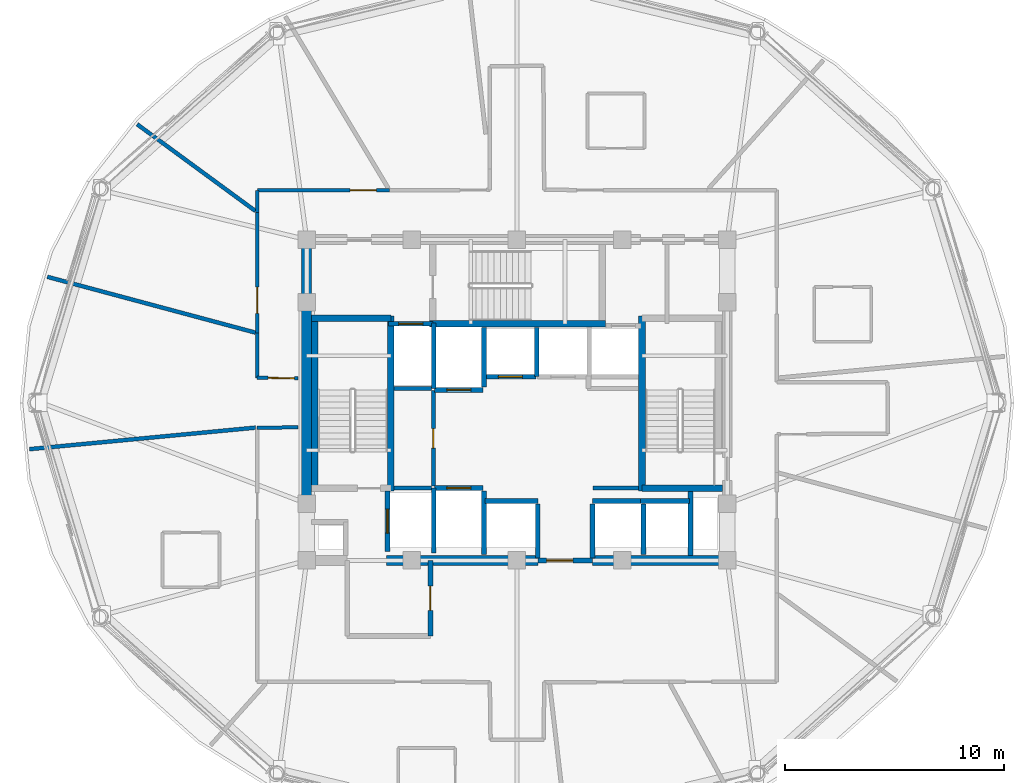
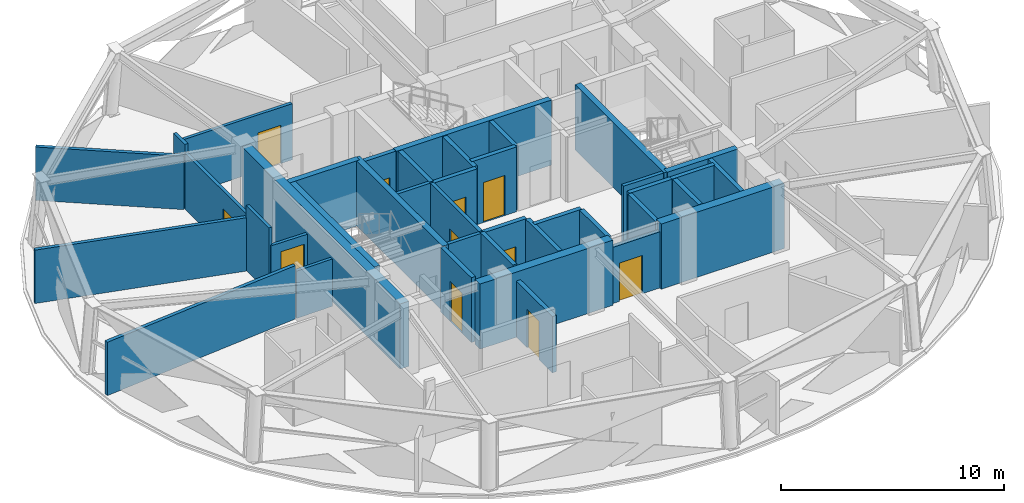
# One storey, part 5 of 11: 41 walls, 11 doors, 11 openings.
"""IFC4 building model written with IfcOpenShell, lengths in metres."""

from ifc_helpers import new_model, si_unit, direction, frame, frame_2d, origin, place, context, subcontext, project, spatial, rectangle, extrude, material, layer, layer_set, type_object, element, fill, save


model = new_model("IFC4")

# Units and contexts
model_context = context("Model", 3, precision=1e-05, world=origin(), true_north=direction((0.0, 1.0)))
body_context = subcontext(model_context, "Body", "Model", "MODEL_VIEW")
ifc_project = project(units=[si_unit("LENGTHUNIT", "METRE"), si_unit("AREAUNIT", "SQUARE_METRE"), si_unit("VOLUMEUNIT", "CUBIC_METRE"), si_unit("PLANEANGLEUNIT", "RADIAN"), si_unit("MASSUNIT", "GRAM", prefix="KILO")], contexts=[model_context])

# Site, building, storey
site_placement = place(None, origin())
site = spatial("IfcSite", under=ifc_project, at=site_placement, CompositionType="ELEMENT")
building_placement = place(site_placement, origin())
building = spatial("IfcBuilding", under=site, at=building_placement, Name="Vantalir Tower", CompositionType="ELEMENT")
storey_placement = place(building_placement, frame((0.0, 0.0, 231.14990234375)))
storey = spatial("IfcBuildingStorey", under=building, at=storey_placement, Name="L58", CompositionType="ELEMENT", Elevation=231.14990234375)

# Walls
ifc_material_1 = material(Name="Concrete C50/60", Category="concrete")
ifc_layer_1 = layer(ifc_material_1, 0.449951171875)
ifc_layer_set_1 = layer_set([ifc_layer_1], Name="Concrete C50/60")
wall_type_1 = type_object("IfcWallType", Name="WL-CORE-450", PredefinedType="SHEAR", material=ifc_layer_set_1)
wall_1_placement = place(storey_placement, frame((25.550048828125, 17.800048828125, 0.0), z_axis=(0.0, 0.0, 1.0), x_axis=(1.0, 0.0, 0.0)))
element("IfcWall", 1, at=wall_1_placement, inside=storey, type_object=wall_type_1, Name="L58 Core Shear Wall South-Mid", PredefinedType="SHEAR", context=body_context, shape_type="SweptSolid", body=[
    extrude(rectangle(XDim=6.89990234375, YDim=0.449951171875, at=frame_2d((3.449951171875, 0.0))), origin(), (0.0, 0.0, 1.0), 3.570068359375),
])
wall_2_placement = place(storey_placement, frame((34.949951171875, 17.800048828125, 0.0), z_axis=(0.0, 0.0, 1.0), x_axis=(1.0, 0.0, 0.0)))
element("IfcWall", 2, at=wall_2_placement, inside=storey, type_object=wall_type_1, Name="L58 Core Shear Wall South-East", PredefinedType="SHEAR", context=body_context, shape_type="SweptSolid", body=[
    extrude(rectangle(XDim=6.375, YDim=0.449951171875, at=frame_2d((3.1875, 0.0))), origin(), (0.0, 0.0, 1.0), 3.570068359375),
])
wall_3_placement = place(storey_placement, frame((21.89990234375, 18.02490234375, 0.0), z_axis=(0.0, 0.0, 1.0), x_axis=(0.0, 1.0, 0.0)))
element("IfcWall", 3, at=wall_3_placement, inside=storey, type_object=wall_type_1, Name="L58 Core Shear Wall West", PredefinedType="SHEAR", context=body_context, shape_type="SweptSolid", body=[
    extrude(rectangle(XDim=14.2001953125, YDim=0.449951171875, at=frame_2d((7.10009765625, 0.0))), origin(), (0.0, 0.0, 1.0), 3.570068359375),
])

# Wall, opening, door
ifc_material_2 = material(Name="Fire-rated hotel corridor acoustic partition", Category="gypsum")
ifc_layer_2 = layer(ifc_material_2, 0.159912109375)
ifc_layer_set_2 = layer_set([ifc_layer_2], Name="Fire-rated hotel corridor acoustic partition")
wall_type_2 = type_object("IfcWallType", Name="WL-CORR-160", PredefinedType="PARTITIONING", material=ifc_layer_set_2)
wall_4_placement = place(storey_placement, frame((21.4951171875, 26.116943359375, 0.0), z_axis=(0.0, 0.0, 1.0), x_axis=(-0.999908537082, 0.013524698532, 0.0)))
wall_4 = element("IfcWall", 4, at=wall_4_placement, inside=storey, type_object=wall_type_2, Name="L58 Corridor Partition 01", PredefinedType="PARTITIONING", context=body_context, shape_type="SweptSolid", body=[
    extrude(rectangle(XDim=1.859375, YDim=0.159912109375, at=frame_2d((0.9296875, 0.0))), origin(), (0.0, 0.0, 1.0), 2.59521484375),
])
opening_1_placement = place(wall_4_placement, frame((0.159912109375, 0.0, 0.0)))
opening_1 = element("IfcOpeningElement", 5, at=opening_1_placement, cuts=wall_4, Name="Opening D-STE", PredefinedType="OPENING", context=body_context, shape_type="SweptSolid", body=[
    extrude(rectangle(XDim=1.199951171875, YDim=2.10009765625, at=frame_2d((0.60009765625, 1.050048828125))), frame((0.0, 0.08984375, 0.0), z_axis=(0.0, -1.0, 0.0), x_axis=(1.0, 0.0, 0.0)), (0.0, 0.0, 1.0), 0.179931640625),
])
ifc_material_3 = material(Name="Solid-core teak veneer suite entrance door", Category="wood")
door_type_1 = type_object("IfcDoorType", Name="DR-SUITE-ENTRY-1200", OperationType="NOTDEFINED", PredefinedType="DOOR", material=ifc_material_3)
door_1_placement = place(opening_1_placement, origin())
door_1 = element("IfcDoor", 6, at=door_1_placement, inside=storey, type_object=door_type_1, Name="L58 Executive Sky Boardroom 06 Door", OperationType="SINGLE_SWING_RIGHT", OverallHeight=2.10009765625, OverallWidth=1.199951171875, PredefinedType="DOOR", context=body_context, shape_type="SweptSolid", body=[
    extrude(rectangle(XDim=1.199951171875, YDim=2.10009765625, at=frame_2d((0.60009765625, 1.050048828125))), frame((0.0, 0.02490234375, 0.0), z_axis=(0.0, -1.0, 0.0), x_axis=(1.0, 0.0, 0.0)), (0.0, 0.0, 1.0), 0.050048828125),
])
fill(opening_1, door_1)

# Wall
wall_5_placement = place(storey_placement, frame((19.635986328125, 26.14208984375, 0.0), z_axis=(0.0, 0.0, 1.0), x_axis=(0.000957510034, 0.999999541587, 0.0)))
element("IfcWall", 7, at=wall_5_placement, inside=storey, type_object=wall_type_2, Name="L58 Corridor Partition 02", PredefinedType="PARTITIONING", context=body_context, shape_type="SweptSolid", body=[
    extrude(rectangle(XDim=2.039794921875, YDim=0.159912109375, at=frame_2d((1.02001953125, 0.0))), origin(), (0.0, 0.0, 1.0), 3.550048828125),
])

# Wall, opening, door
wall_6_placement = place(storey_placement, frame((19.637939453125, 28.181884765625, 0.0), z_axis=(0.0, 0.0, 1.0), x_axis=(0.000930108553, 0.999999567449, 0.0)))
wall_6 = element("IfcWall", 8, at=wall_6_placement, inside=storey, type_object=wall_type_2, Name="L58 Corridor Partition 03", PredefinedType="PARTITIONING", context=body_context, shape_type="SweptSolid", body=[
    extrude(rectangle(XDim=5.51220703125, YDim=0.159912109375, at=frame_2d((2.756103515625, 0.0))), origin(), (0.0, 0.0, 1.0), 3.0810546875),
])
opening_2_placement = place(wall_6_placement, frame((0.89892578125, 0.0, 0.0)))
opening_2 = element("IfcOpeningElement", 9, at=opening_2_placement, cuts=wall_6, Name="Opening D-STE", PredefinedType="OPENING", context=body_context, shape_type="SweptSolid", body=[
    extrude(rectangle(XDim=1.199951171875, YDim=2.10009765625, at=frame_2d((0.60009765625, 1.050048828125))), frame((0.0, 0.08984375, 0.0), z_axis=(0.0, -1.0, 0.0), x_axis=(1.0, 0.0, 0.0)), (0.0, 0.0, 1.0), 0.179931640625),
])
door_2_placement = place(opening_2_placement, origin())
door_2 = element("IfcDoor", 10, at=door_2_placement, inside=storey, type_object=door_type_1, Name="L58 Club Reading Lounge 05 Door", OperationType="SINGLE_SWING_LEFT", OverallHeight=2.10009765625, OverallWidth=1.199951171875, PredefinedType="DOOR", context=body_context, shape_type="SweptSolid", body=[
    extrude(rectangle(XDim=1.199951171875, YDim=2.10009765625, at=frame_2d((0.60009765625, 1.050048828125))), frame((0.0, 0.02490234375, 0.0), z_axis=(0.0, -1.0, 0.0), x_axis=(1.0, 0.0, 0.0)), (0.0, 0.0, 1.0), 0.050048828125),
])
fill(opening_2, door_2)

# Wall
wall_7_placement = place(storey_placement, frame((19.64306640625, 33.694091796875, 0.0), z_axis=(0.0, 0.0, 1.0), x_axis=(0.000970873329, 0.999999528702, 0.0)))
element("IfcWall", 11, at=wall_7_placement, inside=storey, type_object=wall_type_2, Name="L58 Corridor Partition 04", PredefinedType="PARTITIONING", context=body_context, shape_type="SweptSolid", body=[
    extrude(rectangle(XDim=1.005859375, YDim=0.159912109375, at=frame_2d((0.5029296875, 0.0))), origin(), (0.0, 0.0, 1.0), 3.550048828125),
])

# Wall, opening, door
wall_8_placement = place(storey_placement, frame((19.64404296875, 34.699951171875, 0.0), z_axis=(0.0, 0.0, 1.0), x_axis=(0.999998879398, 0.001497064881, 0.0)))
wall_8 = element("IfcWall", 12, at=wall_8_placement, inside=storey, type_object=wall_type_2, Name="L58 Corridor Partition 05", PredefinedType="PARTITIONING", context=body_context, shape_type="SweptSolid", body=[
    extrude(rectangle(XDim=6.033935546875, YDim=0.159912109375, at=frame_2d((3.01708984375, 0.0))), origin(), (0.0, 0.0, 1.0), 3.0810546875),
])
opening_3_placement = place(wall_8_placement, frame((4.237060546875, 0.0, 0.0)))
opening_3 = element("IfcOpeningElement", 13, at=opening_3_placement, cuts=wall_8, Name="Opening D-STE", PredefinedType="OPENING", context=body_context, shape_type="SweptSolid", body=[
    extrude(rectangle(XDim=1.199951171875, YDim=2.10009765625, at=frame_2d((0.60009765625, 1.050048828125))), frame((0.0, 0.08984375, 0.0), z_axis=(0.0, -1.0, 0.0), x_axis=(1.0, 0.0, 0.0)), (0.0, 0.0, 1.0), 0.179931640625),
])
door_3_placement = place(opening_3_placement, origin())
door_3 = element("IfcDoor", 14, at=door_3_placement, inside=storey, type_object=door_type_1, Name="L58 Executive Sky Boardroom 04 Door", OperationType="SINGLE_SWING_RIGHT", OverallHeight=2.10009765625, OverallWidth=1.199951171875, PredefinedType="DOOR", context=body_context, shape_type="SweptSolid", body=[
    extrude(rectangle(XDim=1.199951171875, YDim=2.10009765625, at=frame_2d((0.60009765625, 1.050048828125))), frame((0.0, 0.02490234375, 0.0), z_axis=(0.0, -1.0, 0.0), x_axis=(1.0, 0.0, 0.0)), (0.0, 0.0, 1.0), 0.050048828125),
])
fill(opening_3, door_3)

# Walls
wall_9_placement = place(storey_placement, frame((19.635009765625, 23.85400390625, 0.0), z_axis=(0.0, 0.0, 1.0), x_axis=(0.999886107392, 0.015092125259, 0.0)))
element("IfcWall", 15, at=wall_9_placement, inside=storey, type_object=wall_type_2, Name="L58 Corridor Partition 28", PredefinedType="PARTITIONING", context=body_context, shape_type="SweptSolid", body=[
    extrude(rectangle(XDim=1.8603515625, YDim=0.159912109375, at=frame_2d((0.93017578125, 0.0))), origin(), (0.0, 0.0, 1.0), 2.59521484375),
])
ifc_material_4 = material(Name="Concrete blockwork with fireboard lining", Category="masonry")
ifc_layer_3 = layer(ifc_material_4, 0.219970703125)
ifc_layer_set_3 = layer_set([ifc_layer_3], Name="Concrete blockwork with fireboard lining")
wall_type_3 = type_object("IfcWallType", Name="WL-FFL-220", PredefinedType="PARTITIONING", material=ifc_layer_set_3)
wall_10_placement = place(storey_placement, frame((30.0, 18.080078125, 0.0), z_axis=(0.0, 0.0, 1.0), x_axis=(0.0, 1.0, 0.0)))
element("IfcWall", 16, at=wall_10_placement, inside=storey, type_object=wall_type_3, Name="L58 Service Lift SV1 East Shaft Wall", PredefinedType="PARTITIONING", context=body_context, shape_type="SweptSolid", body=[
    extrude(rectangle(XDim=2.89990234375, YDim=0.219970703125, at=frame_2d((1.449951171875, 0.0))), origin(), (0.0, 0.0, 1.0), 3.545166015625),
])
for number, where, z_axis, x_axis, name in (
    (17, (32.449951171875, 17.919921875, 0.0), (0.0, 0.0, 1.0), (0.0, 1.0, 0.0), "L58 Shuttle Lift PL-X1 East Shaft Cheek"),
    (18, (34.949951171875, 17.919921875, 0.0), (0.0, 0.0, 1.0), (0.0, 1.0, 0.0), "L58 Shuttle Lift PL-X3 West Shaft Cheek"),
):
    element("IfcWall", number, at=place(storey_placement, frame(where, z_axis=z_axis, x_axis=x_axis)), inside=storey, type_object=wall_type_3, Name=name, PredefinedType="PARTITIONING", context=body_context, shape_type="SweptSolid", body=[
        extrude(rectangle(XDim=2.469970703125, YDim=0.219970703125, at=frame_2d((1.23486328125, 0.0))), origin(), (0.0, 0.0, 1.0), 3.545166015625),
    ])
wall_11_placement = place(storey_placement, frame((37.27490234375, 18.080078125, 0.0), z_axis=(0.0, 0.0, 1.0), x_axis=(0.0, 1.0, 0.0)))
element("IfcWall", 19, at=wall_11_placement, inside=storey, type_object=wall_type_3, Name="L58 Shuttle Lift PL-X2/X3 Shaft Divider", PredefinedType="PARTITIONING", context=body_context, shape_type="SweptSolid", body=[
    extrude(rectangle(XDim=2.309814453125, YDim=0.219970703125, at=frame_2d((1.15478515625, 0.0))), origin(), (0.0, 0.0, 1.0), 3.545166015625),
])
wall_12_placement = place(storey_placement, frame((30.0, 25.7099609375, 0.0), z_axis=(0.0, 0.0, 1.0), x_axis=(0.0, 1.0, 0.0)))
element("IfcWall", 20, at=wall_12_placement, inside=storey, type_object=wall_type_3, Name="L58 Service Lift SV2 East Shaft Wall", PredefinedType="PARTITIONING", context=body_context, shape_type="SweptSolid", body=[
    extrude(rectangle(XDim=2.72998046875, YDim=0.219970703125, at=frame_2d((1.364990234375, 0.0))), origin(), (0.0, 0.0, 1.0), 3.545166015625),
])
wall_13_placement = place(storey_placement, frame((32.39990234375, 26.199951171875, 0.0), z_axis=(0.0, 0.0, 1.0), x_axis=(0.0, 1.0, 0.0)))
element("IfcWall", 21, at=wall_13_placement, inside=storey, type_object=wall_type_3, Name="L58 High-Rise Lift PL-H1/H2 Shaft Divider", PredefinedType="PARTITIONING", context=body_context, shape_type="SweptSolid", body=[
    extrude(rectangle(XDim=2.239990234375, YDim=0.219970703125, at=frame_2d((1.1201171875, 0.0))), origin(), (0.0, 0.0, 1.0), 3.545166015625),
])

# Wall, opening, door
wall_14_placement = place(storey_placement, frame((32.449951171875, 17.800048828125, 0.0), z_axis=(0.0, 0.0, 1.0), x_axis=(1.0, 0.0, 0.0)))
wall_14 = element("IfcWall", 22, at=wall_14_placement, inside=storey, type_object=wall_type_3, Name="L58 Passenger Lift Lobby South Wall", PredefinedType="PARTITIONING", context=body_context, shape_type="SweptSolid", body=[
    extrude(rectangle(XDim=2.5, YDim=0.219970703125, at=frame_2d((1.25, 0.0))), origin(), (0.0, 0.0, 1.0), 3.0810546875),
])
opening_4_placement = place(wall_14_placement, frame((0.39990234375, 0.0, 0.0)))
opening_4 = element("IfcOpeningElement", 23, at=opening_4_placement, cuts=wall_14, Name="Opening D-STE", PredefinedType="OPENING", context=body_context, shape_type="SweptSolid", body=[
    extrude(rectangle(XDim=1.199951171875, YDim=2.10009765625, at=frame_2d((0.60009765625, 1.050048828125))), frame((0.0, 0.119873046875, 0.0), z_axis=(0.0, -1.0, 0.0), x_axis=(1.0, 0.0, 0.0)), (0.0, 0.0, 1.0), 0.239990234375),
])
door_4_placement = place(opening_4_placement, origin())
door_4 = element("IfcDoor", 24, at=door_4_placement, inside=storey, type_object=door_type_1, Name="L58 Passenger Lift Lobby Concourse Door", OperationType="SINGLE_SWING_LEFT", OverallHeight=2.10009765625, OverallWidth=1.199951171875, PredefinedType="DOOR", context=body_context, shape_type="SweptSolid", body=[
    extrude(rectangle(XDim=1.199951171875, YDim=2.10009765625, at=frame_2d((0.60009765625, 1.050048828125))), frame((0.0, 0.02490234375, 0.0), z_axis=(0.0, -1.0, 0.0), x_axis=(1.0, 0.0, 0.0)), (0.0, 0.0, 1.0), 0.050048828125),
])
fill(opening_4, door_4)

# Wall
wall_15_placement = place(storey_placement, frame((39.419921875, 18.02490234375, 0.0), z_axis=(0.0, 0.0, 1.0), x_axis=(0.0, 1.0, 0.0)))
element("IfcWall", 25, at=wall_15_placement, inside=storey, type_object=wall_type_3, Name="L58 East MEP Riser Wall W", PredefinedType="PARTITIONING", context=body_context, shape_type="SweptSolid", body=[
    extrude(rectangle(XDim=2.925048828125, YDim=0.219970703125, at=frame_2d((1.46240234375, 0.0))), origin(), (0.0, 0.0, 1.0), 3.550048828125),
])

# Wall, opening, door
wall_16_placement = place(storey_placement, frame((25.590087890625, 18.219970703125, 0.0), z_axis=(0.0, 0.0, 1.0), x_axis=(0.0, 1.0, 0.0)))
wall_16 = element("IfcWall", 26, at=wall_16_placement, inside=storey, type_object=wall_type_3, Name="L58 Lift FL1 Shaft Front Wall", PredefinedType="PARTITIONING", context=body_context, shape_type="SweptSolid", body=[
    extrude(rectangle(XDim=2.760009765625, YDim=0.219970703125, at=frame_2d((1.3798828125, 0.0))), origin(), (0.0, 0.0, 1.0), 3.550048828125),
])
opening_5_placement = place(wall_16_placement, frame((0.830078125, 0.0, 0.0)))
opening_5 = element("IfcOpeningElement", 27, at=opening_5_placement, cuts=wall_16, Name="Opening LD-FL1", PredefinedType="OPENING", context=body_context, shape_type="SweptSolid", body=[
    extrude(rectangle(XDim=1.10009765625, YDim=2.199951171875, at=frame_2d((0.550048828125, 1.10009765625))), frame((0.0, 0.119873046875, 0.0), z_axis=(0.0, -1.0, 0.0), x_axis=(1.0, 0.0, 0.0)), (0.0, 0.0, 1.0), 0.239990234375),
])
ifc_material_5 = material(Name="Brushed stainless-steel sliding lift landing door", Category="steel")
door_type_2 = type_object("IfcDoorType", Name="DR-LIFT-LANDING-1100", OperationType="DOUBLE_DOOR_SLIDING", PredefinedType="DOOR", material=ifc_material_5)
door_5_placement = place(opening_5_placement, origin())
door_5 = element("IfcDoor", 28, at=door_5_placement, inside=storey, type_object=door_type_2, Name="L58 Lift Landing Door FL1", OperationType="DOUBLE_DOOR_SLIDING", OverallHeight=2.199951171875, OverallWidth=1.10009765625, PredefinedType="DOOR", context=body_context, shape_type="SweptSolid", body=[
    extrude(rectangle(XDim=1.10009765625, YDim=2.199951171875, at=frame_2d((0.550048828125, 1.10009765625))), frame((0.0, 0.02490234375, 0.0), z_axis=(0.0, -1.0, 0.0), x_axis=(1.0, 0.0, 0.0)), (0.0, 0.0, 1.0), 0.050048828125),
])
fill(opening_5, door_5)

wall_17_placement = place(storey_placement, frame((25.639892578125, 28.610107421875, 0.0), z_axis=(0.0, 0.0, 1.0), x_axis=(1.0, 0.0, 0.0)))
wall_17 = element("IfcWall", 29, at=wall_17_placement, inside=storey, type_object=wall_type_3, Name="L58 Lift FL2 Shaft Front Wall", PredefinedType="PARTITIONING", context=body_context, shape_type="SweptSolid", body=[
    extrude(rectangle(XDim=2.02001953125, YDim=0.219970703125, at=frame_2d((1.010009765625, 0.0))), origin(), (0.0, 0.0, 1.0), 3.550048828125),
])
opening_6_placement = place(wall_17_placement, frame((0.4599609375, 0.0, 0.0)))
opening_6 = element("IfcOpeningElement", 30, at=opening_6_placement, cuts=wall_17, Name="Opening LD-FL2", PredefinedType="OPENING", context=body_context, shape_type="SweptSolid", body=[
    extrude(rectangle(XDim=1.10009765625, YDim=2.199951171875, at=frame_2d((0.550048828125, 1.10009765625))), frame((0.0, 0.119873046875, 0.0), z_axis=(0.0, -1.0, 0.0), x_axis=(1.0, 0.0, 0.0)), (0.0, 0.0, 1.0), 0.239990234375),
])
door_6_placement = place(opening_6_placement, origin())
door_6 = element("IfcDoor", 31, at=door_6_placement, inside=storey, type_object=door_type_2, Name="L58 Lift Landing Door FL2", OperationType="DOUBLE_DOOR_SLIDING", OverallHeight=2.199951171875, OverallWidth=1.10009765625, PredefinedType="DOOR", context=body_context, shape_type="SweptSolid", body=[
    extrude(rectangle(XDim=1.10009765625, YDim=2.199951171875, at=frame_2d((0.550048828125, 1.10009765625))), frame((0.0, 0.02490234375, 0.0), z_axis=(0.0, -1.0, 0.0), x_axis=(1.0, 0.0, 0.0)), (0.0, 0.0, 1.0), 0.050048828125),
])
fill(opening_6, door_6)

wall_18_placement = place(storey_placement, frame((27.739990234375, 21.110107421875, 0.0), z_axis=(0.0, 0.0, 1.0), x_axis=(1.0, 0.0, 0.0)))
wall_18 = element("IfcWall", 32, at=wall_18_placement, inside=storey, type_object=wall_type_3, Name="L58 Lift SV1 Shaft Front Wall", PredefinedType="PARTITIONING", context=body_context, shape_type="SweptSolid", body=[
    extrude(rectangle(XDim=2.219970703125, YDim=0.219970703125, at=frame_2d((1.10986328125, 0.0))), origin(), (0.0, 0.0, 1.0), 3.550048828125),
])
opening_7_placement = place(wall_18_placement, frame((0.56005859375, 0.0, 0.0)))
opening_7 = element("IfcOpeningElement", 33, at=opening_7_placement, cuts=wall_18, Name="Opening LD-SV1", PredefinedType="OPENING", context=body_context, shape_type="SweptSolid", body=[
    extrude(rectangle(XDim=1.10009765625, YDim=2.199951171875, at=frame_2d((0.550048828125, 1.10009765625))), frame((0.0, 0.119873046875, 0.0), z_axis=(0.0, -1.0, 0.0), x_axis=(1.0, 0.0, 0.0)), (0.0, 0.0, 1.0), 0.239990234375),
])
door_7_placement = place(opening_7_placement, origin())
door_7 = element("IfcDoor", 34, at=door_7_placement, inside=storey, type_object=door_type_2, Name="L58 Lift Landing Door SV1", OperationType="DOUBLE_DOOR_SLIDING", OverallHeight=2.199951171875, OverallWidth=1.10009765625, PredefinedType="DOOR", context=body_context, shape_type="SweptSolid", body=[
    extrude(rectangle(XDim=1.10009765625, YDim=2.199951171875, at=frame_2d((0.550048828125, 1.10009765625))), frame((0.0, 0.02490234375, 0.0), z_axis=(0.0, -1.0, 0.0), x_axis=(1.0, 0.0, 0.0)), (0.0, 0.0, 1.0), 0.050048828125),
])
fill(opening_7, door_7)

wall_19_placement = place(storey_placement, frame((27.739990234375, 25.590087890625, 0.0), z_axis=(0.0, 0.0, 1.0), x_axis=(1.0, 0.0, 0.0)))
wall_19 = element("IfcWall", 35, at=wall_19_placement, inside=storey, type_object=wall_type_3, Name="L58 Lift SV2 Shaft Front Wall", PredefinedType="PARTITIONING", context=body_context, shape_type="SweptSolid", body=[
    extrude(rectangle(XDim=2.219970703125, YDim=0.219970703125, at=frame_2d((1.10986328125, 0.0))), origin(), (0.0, 0.0, 1.0), 3.550048828125),
])
opening_8_placement = place(wall_19_placement, frame((0.56005859375, 0.0, 0.0)))
opening_8 = element("IfcOpeningElement", 36, at=opening_8_placement, cuts=wall_19, Name="Opening LD-SV2", PredefinedType="OPENING", context=body_context, shape_type="SweptSolid", body=[
    extrude(rectangle(XDim=1.10009765625, YDim=2.199951171875, at=frame_2d((0.550048828125, 1.10009765625))), frame((0.0, 0.119873046875, 0.0), z_axis=(0.0, -1.0, 0.0), x_axis=(1.0, 0.0, 0.0)), (0.0, 0.0, 1.0), 0.239990234375),
])
door_8_placement = place(opening_8_placement, frame((1.10009765625, 0.0, 0.0), z_axis=(0.0, 0.0, 1.0), x_axis=(-1.0, 0.0, 0.0)))
door_8 = element("IfcDoor", 37, at=door_8_placement, inside=storey, type_object=door_type_2, Name="L58 Lift Landing Door SV2", OperationType="DOUBLE_DOOR_SLIDING", OverallHeight=2.199951171875, OverallWidth=1.10009765625, PredefinedType="DOOR", context=body_context, shape_type="SweptSolid", body=[
    extrude(rectangle(XDim=1.10009765625, YDim=2.199951171875, at=frame_2d((0.550048828125, 1.10009765625))), frame((0.0, 0.02490234375, 0.0), z_axis=(0.0, -1.0, 0.0), x_axis=(1.0, 0.0, 0.0)), (0.0, 0.0, 1.0), 0.050048828125),
])
fill(opening_8, door_8)

# Walls
wall_20_placement = place(storey_placement, frame((30.0400390625, 20.510009765625, 0.0), z_axis=(0.0, 0.0, 1.0), x_axis=(1.0, 0.0, 0.0)))
element("IfcWall", 38, at=wall_20_placement, inside=storey, type_object=wall_type_3, Name="L58 Lift PL-X1 Shaft Front Wall", PredefinedType="PARTITIONING", context=body_context, shape_type="SweptSolid", body=[
    extrude(rectangle(XDim=2.419921875, YDim=0.219970703125, at=frame_2d((1.2099609375, 0.0))), origin(), (0.0, 0.0, 1.0), 3.550048828125),
])
for number, where, z_axis, x_axis, name in (
    (39, (37.139892578125, 20.510009765625, 0.0), (0.0, 0.0, 1.0), (1.0, 0.0, 0.0), "L58 Lift PL-X2 Shaft Rear Wall"),
    (40, (34.93994140625, 20.510009765625, 0.0), (0.0, 0.0, 1.0), (1.0, 0.0, 0.0), "L58 Lift PL-X3 Shaft Front Wall"),
):
    element("IfcWall", number, at=place(storey_placement, frame(where, z_axis=z_axis, x_axis=x_axis)), inside=storey, type_object=wall_type_3, Name=name, PredefinedType="PARTITIONING", context=body_context, shape_type="SweptSolid", body=[
        extrude(rectangle(XDim=2.239990234375, YDim=0.219970703125, at=frame_2d((1.1201171875, 0.0))), origin(), (0.0, 0.0, 1.0), 3.550048828125),
    ])

# Wall, opening, door
wall_21_placement = place(storey_placement, frame((30.0400390625, 26.18994140625, 0.0), z_axis=(0.0, 0.0, 1.0), x_axis=(1.0, 0.0, 0.0)))
wall_21 = element("IfcWall", 41, at=wall_21_placement, inside=storey, type_object=wall_type_3, Name="L58 Lift PL-H1 Shaft Front Wall", PredefinedType="PARTITIONING", context=body_context, shape_type="SweptSolid", body=[
    extrude(rectangle(XDim=2.320068359375, YDim=0.219970703125, at=frame_2d((1.16015625, 0.0))), origin(), (0.0, 0.0, 1.0), 3.550048828125),
])
opening_9_placement = place(wall_21_placement, frame((0.610107421875, 0.0, 0.0)))
opening_9 = element("IfcOpeningElement", 42, at=opening_9_placement, cuts=wall_21, Name="Opening LD-PL-H1", PredefinedType="OPENING", context=body_context, shape_type="SweptSolid", body=[
    extrude(rectangle(XDim=1.10009765625, YDim=2.199951171875, at=frame_2d((0.550048828125, 1.10009765625))), frame((0.0, 0.119873046875, 0.0), z_axis=(0.0, -1.0, 0.0), x_axis=(1.0, 0.0, 0.0)), (0.0, 0.0, 1.0), 0.239990234375),
])
door_9_placement = place(opening_9_placement, frame((1.10009765625, 0.0, 0.0), z_axis=(0.0, 0.0, 1.0), x_axis=(-1.0, 0.0, 0.0)))
door_9 = element("IfcDoor", 43, at=door_9_placement, inside=storey, type_object=door_type_2, Name="L58 Lift Landing Door PL-H1", OperationType="DOUBLE_DOOR_SLIDING", OverallHeight=2.199951171875, OverallWidth=1.10009765625, PredefinedType="DOOR", context=body_context, shape_type="SweptSolid", body=[
    extrude(rectangle(XDim=1.10009765625, YDim=2.199951171875, at=frame_2d((0.550048828125, 1.10009765625))), frame((0.0, 0.02490234375, 0.0), z_axis=(0.0, -1.0, 0.0), x_axis=(1.0, 0.0, 0.0)), (0.0, 0.0, 1.0), 0.050048828125),
])
fill(opening_9, door_9)

# Walls
wall_22_placement = place(storey_placement, frame((27.699951171875, 18.14990234375, 0.0), z_axis=(0.0, 0.0, 1.0), x_axis=(0.0, 1.0, 0.0)))
element("IfcWall", 44, at=wall_22_placement, inside=storey, type_object=wall_type_3, Name="L58 Fire Lift FL1 Dividing Wall", PredefinedType="PARTITIONING", context=body_context, shape_type="SweptSolid", body=[
    extrude(rectangle(XDim=2.9501953125, YDim=0.219970703125, at=frame_2d((1.47509765625, 0.0))), origin(), (0.0, 0.0, 1.0), 3.550048828125),
])
wall_23_placement = place(storey_placement, frame((27.699951171875, 25.64990234375, 0.0), z_axis=(0.0, 0.0, 1.0), x_axis=(0.0, 1.0, 0.0)))
element("IfcWall", 45, at=wall_23_placement, inside=storey, type_object=wall_type_3, Name="L58 Fire Lift FL2 Dividing Wall", PredefinedType="PARTITIONING", context=body_context, shape_type="SweptSolid", body=[
    extrude(rectangle(XDim=3.0, YDim=0.219970703125, at=frame_2d((1.5, 0.0))), origin(), (0.0, 0.0, 1.0), 3.550048828125),
])

# Wall, opening, door
wall_24_placement = place(storey_placement, frame((27.550048828125, 14.35009765625, 0.0), z_axis=(0.0, 0.0, 1.0), x_axis=(0.0, 1.0, 0.0)))
wall_24 = element("IfcWall", 46, at=wall_24_placement, inside=storey, type_object=wall_type_3, Name="L58 Firefighting Lobby West East Wall", PredefinedType="PARTITIONING", context=body_context, shape_type="SweptSolid", body=[
    extrude(rectangle(XDim=3.449951171875, YDim=0.219970703125, at=frame_2d((1.72509765625, 0.0))), origin(), (0.0, 0.0, 1.0), 3.0810546875),
])
opening_10_placement = place(wall_24_placement, frame((1.175048828125, 0.0, 0.0)))
opening_10 = element("IfcOpeningElement", 47, at=opening_10_placement, cuts=wall_24, Name="Opening D-FFL", PredefinedType="OPENING", context=body_context, shape_type="SweptSolid", body=[
    extrude(rectangle(XDim=1.10009765625, YDim=2.10009765625, at=frame_2d((0.550048828125, 1.050048828125))), frame((0.0, 0.119873046875, 0.0), z_axis=(0.0, -1.0, 0.0), x_axis=(1.0, 0.0, 0.0)), (0.0, 0.0, 1.0), 0.239990234375),
])
ifc_material_6 = material(Name="Fire-rated acoustic steel door", Category="steel")
door_type_3 = type_object("IfcDoorType", Name="DR-FIRE-LOBBY-1100", OperationType="NOTDEFINED", PredefinedType="DOOR", material=ifc_material_6)
door_10_placement = place(opening_10_placement, origin())
door_10 = element("IfcDoor", 48, at=door_10_placement, inside=storey, type_object=door_type_3, Name="L58 Firefighting Lobby West Access Door", OperationType="SINGLE_SWING_LEFT", OverallHeight=2.10009765625, OverallWidth=1.10009765625, PredefinedType="DOOR", context=body_context, shape_type="SweptSolid", body=[
    extrude(rectangle(XDim=1.10009765625, YDim=2.10009765625, at=frame_2d((0.550048828125, 1.050048828125))), frame((0.0, 0.02490234375, 0.0), z_axis=(0.0, -1.0, 0.0), x_axis=(1.0, 0.0, 0.0)), (0.0, 0.0, 1.0), 0.050048828125),
])
fill(opening_10, door_10)

# Walls
ifc_material_7 = material(Name="Twin-stud acoustic fire-rated gypsum partition", Category="gypsum")
ifc_layer_4 = layer(ifc_material_7, 0.179931640625)
ifc_layer_set_4 = layer_set([ifc_layer_4], Name="Twin-stud acoustic fire-rated gypsum partition")
wall_type_4 = type_object("IfcWallType", Name="WL-GUEST-180", PredefinedType="PARTITIONING", material=ifc_layer_set_4)
for number, where, z_axis, x_axis, name in (
    (49, (25.889892578125, 21.10009765625, 0.0), (0.0, 0.0, 1.0), (1.0, 0.0, 0.0), "L58 Freed West Core South Wall"),
    (50, (25.889892578125, 25.64990234375, 0.0), (0.0, 0.0, 1.0), (1.0, 0.0, 0.0), "L58 Freed West Core North Wall"),
):
    element("IfcWall", number, at=place(storey_placement, frame(where, z_axis=z_axis, x_axis=x_axis)), inside=storey, type_object=wall_type_4, Name=name, PredefinedType="PARTITIONING", context=body_context, shape_type="SweptSolid", body=[
        extrude(rectangle(XDim=1.7001953125, YDim=0.179931640625, at=frame_2d((0.85009765625, 0.0))), origin(), (0.0, 0.0, 1.0), 3.550048828125),
    ])

# Wall, opening, door
wall_25_placement = place(storey_placement, frame((27.679931640625, 21.18994140625, 0.0), z_axis=(0.0, 0.0, 1.0), x_axis=(0.0, 1.0, 0.0)))
wall_25 = element("IfcWall", 51, at=wall_25_placement, inside=storey, type_object=wall_type_4, Name="L58 West Pantry East Wall", PredefinedType="PARTITIONING", context=body_context, shape_type="SweptSolid", body=[
    extrude(rectangle(XDim=4.3701171875, YDim=0.179931640625, at=frame_2d((2.18505859375, 0.0))), origin(), (0.0, 0.0, 1.0), 3.550048828125),
])
opening_11_placement = place(wall_25_placement, frame((1.735107421875, 0.0, 0.0)))
opening_11 = element("IfcOpeningElement", 52, at=opening_11_placement, cuts=wall_25, Name="Opening D-CR", PredefinedType="OPENING", context=body_context, shape_type="SweptSolid", body=[
    extrude(rectangle(XDim=0.89990234375, YDim=2.10009765625, at=frame_2d((0.449951171875, 1.050048828125))), frame((0.0, 0.099853515625, 0.0), z_axis=(0.0, -1.0, 0.0), x_axis=(1.0, 0.0, 0.0)), (0.0, 0.0, 1.0), 0.199951171875),
])
ifc_material_8 = material(Name="Fire-rated steel core service door", Category="steel")
door_type_4 = type_object("IfcDoorType", Name="DR-CORE-SERV-900", OperationType="NOTDEFINED", PredefinedType="DOOR", material=ifc_material_8)
door_11_placement = place(opening_11_placement, origin())
door_11 = element("IfcDoor", 53, at=door_11_placement, inside=storey, type_object=door_type_4, Name="L58 Core Pantry Door", OperationType="SINGLE_SWING_LEFT", OverallHeight=2.10009765625, OverallWidth=0.89990234375, PredefinedType="DOOR", context=body_context, shape_type="SweptSolid", body=[
    extrude(rectangle(XDim=0.89990234375, YDim=2.10009765625, at=frame_2d((0.449951171875, 1.050048828125))), frame((0.0, 0.02490234375, 0.0), z_axis=(0.0, -1.0, 0.0), x_axis=(1.0, 0.0, 0.0)), (0.0, 0.0, 1.0), 0.050048828125),
])
fill(opening_11, door_11)

# Walls
wall_26_placement = place(storey_placement, frame((34.97998046875, 21.10009765625, 0.0), z_axis=(0.0, 0.0, 1.0), x_axis=(1.0, 0.0, 0.0)))
element("IfcWall", 54, at=wall_26_placement, inside=storey, type_object=wall_type_4, Name="L58 Freed East Core South Wall", PredefinedType="PARTITIONING", context=body_context, shape_type="SweptSolid", body=[
    extrude(rectangle(XDim=2.080078125, YDim=0.179931640625, at=frame_2d((1.0400390625, 0.0))), origin(), (0.0, 0.0, 1.0), 3.550048828125),
])
wall_27_placement = place(storey_placement, frame((19.56005859375, 33.7548828125, 0.0), z_axis=(0.0, 0.0, 1.0), x_axis=(-0.806449032178, 0.591303609409, 0.0)))
element("IfcWall", 55, at=wall_27_placement, inside=storey, type_object=wall_type_4, Name="L58 Radial Suite Partition 05", PredefinedType="PARTITIONING", context=body_context, shape_type="SweptSolid", body=[
    extrude(rectangle(XDim=6.697509765625, YDim=0.179931640625, at=frame_2d((3.3486328125, 0.0))), origin(), (0.0, 0.0, 1.0), 2.925048828125),
])
wall_28_placement = place(storey_placement, frame((19.56005859375, 28.202880859375, 0.0), z_axis=(0.0, 0.0, 1.0), x_axis=(-0.96588509942, 0.25897099204, 0.0)))
element("IfcWall", 56, at=wall_28_placement, inside=storey, type_object=wall_type_4, Name="L58 Radial Suite Partition 06", PredefinedType="PARTITIONING", context=body_context, shape_type="SweptSolid", body=[
    extrude(rectangle(XDim=9.83544921875, YDim=0.179931640625, at=frame_2d((4.917724609375, 0.0))), origin(), (0.0, 0.0, 1.0), 2.925048828125),
])
wall_29_placement = place(storey_placement, frame((19.56103515625, 23.864013671875, 0.0), z_axis=(0.0, 0.0, 1.0), x_axis=(-0.995500342093, -0.094757948973, 0.0)))
element("IfcWall", 57, at=wall_29_placement, inside=storey, type_object=wall_type_4, Name="L58 Radial Suite Partition 07", PredefinedType="PARTITIONING", context=body_context, shape_type="SweptSolid", body=[
    extrude(rectangle(XDim=10.362548828125, YDim=0.179931640625, at=frame_2d((5.18115234375, 0.0))), origin(), (0.0, 0.0, 1.0), 2.925048828125),
])
ifc_layer_5 = layer(ifc_material_1, 0.300048828125)
ifc_layer_set_5 = layer_set([ifc_layer_5], Name="Concrete C50/60")
wall_type_5 = type_object("IfcWallType", Name="WL-STAIR-300", PredefinedType="SHEAR", material=ifc_layer_set_5)
wall_30_placement = place(storey_placement, frame((22.125, 28.85009765625, 0.0), z_axis=(0.0, 0.0, 1.0), x_axis=(1.0, 0.0, 0.0)))
element("IfcWall", 58, at=wall_30_placement, inside=storey, type_object=wall_type_5, Name="L58 Stair ST1 North Wall", PredefinedType="SHEAR", context=body_context, shape_type="SweptSolid", body=[
    extrude(rectangle(XDim=3.614990234375, YDim=0.300048828125, at=frame_2d((1.8076171875, 0.0))), origin(), (0.0, 0.0, 1.0), 3.570068359375),
])
wall_31_placement = place(storey_placement, frame((25.739990234375, 20.97998046875, 0.0), z_axis=(0.0, 0.0, 1.0), x_axis=(0.0, 1.0, 0.0)))
element("IfcWall", 59, at=wall_31_placement, inside=storey, type_object=wall_type_5, Name="L58 Stair ST1 East Wall", PredefinedType="SHEAR", context=body_context, shape_type="SweptSolid", body=[
    extrude(rectangle(XDim=7.989990234375, YDim=0.300048828125, at=frame_2d((3.9951171875, 0.0))), origin(), (0.0, 0.0, 1.0), 3.570068359375),
])
wall_32_placement = place(storey_placement, frame((22.260009765625, 21.10009765625, 0.0), z_axis=(0.0, 0.0, 1.0), x_axis=(0.0, 1.0, 0.0)))
element("IfcWall", 60, at=wall_32_placement, inside=storey, type_object=wall_type_5, Name="L58 Stair ST1 West Liner Wall", PredefinedType="SHEAR", context=body_context, shape_type="SweptSolid", body=[
    extrude(rectangle(XDim=7.75, YDim=0.300048828125, at=frame_2d((3.875, 0.0))), origin(), (0.0, 0.0, 1.0), 3.570068359375),
])
wall_33_placement = place(storey_placement, frame((37.2099609375, 21.10009765625, 0.0), z_axis=(0.0, 0.0, 1.0), x_axis=(1.0, 0.0, 0.0)))
element("IfcWall", 61, at=wall_33_placement, inside=storey, type_object=wall_type_5, Name="L58 Stair ST2 South Wall", PredefinedType="SHEAR", context=body_context, shape_type="SweptSolid", body=[
    extrude(rectangle(XDim=3.6650390625, YDim=0.300048828125, at=frame_2d((1.83251953125, 0.0))), origin(), (0.0, 0.0, 1.0), 3.570068359375),
])
wall_34_placement = place(storey_placement, frame((37.2099609375, 20.97998046875, 0.0), z_axis=(0.0, 0.0, 1.0), x_axis=(0.0, 1.0, 0.0)))
element("IfcWall", 62, at=wall_34_placement, inside=storey, type_object=wall_type_5, Name="L58 Stair ST2 West Wall", PredefinedType="SHEAR", context=body_context, shape_type="SweptSolid", body=[
    extrude(rectangle(XDim=7.989990234375, YDim=0.300048828125, at=frame_2d((3.9951171875, 0.0))), origin(), (0.0, 0.0, 1.0), 3.570068359375),
])
wall_35_placement = place(storey_placement, frame((27.510009765625, 28.60009765625, 0.0), z_axis=(0.0, 0.0, 1.0), x_axis=(1.0, 0.0, 0.0)))
element("IfcWall", 63, at=wall_35_placement, inside=storey, type_object=wall_type_5, Name="L58 Stair ST3 South Wall", PredefinedType="SHEAR", context=body_context, shape_type="SweptSolid", body=[
    extrude(rectangle(XDim=8.030029296875, YDim=0.300048828125, at=frame_2d((4.01513671875, 0.0))), origin(), (0.0, 0.0, 1.0), 3.570068359375),
])

save(model, "model.ifc")
